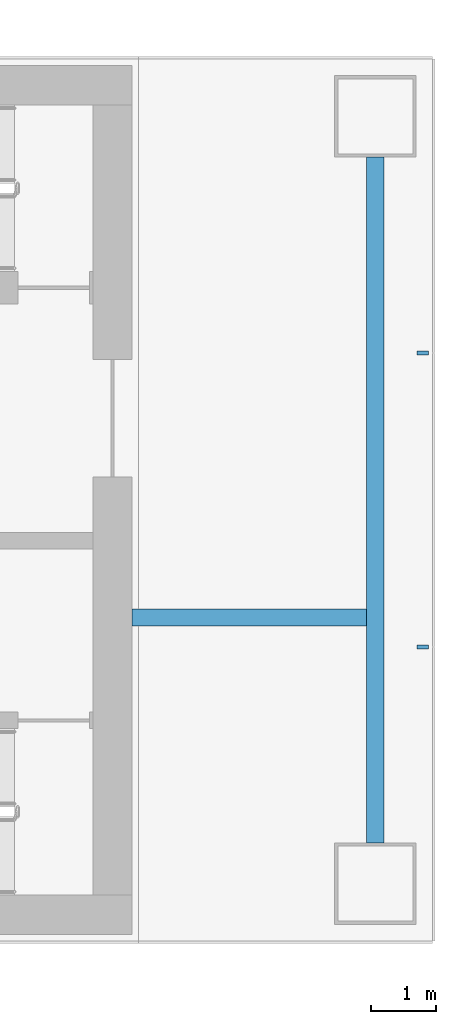
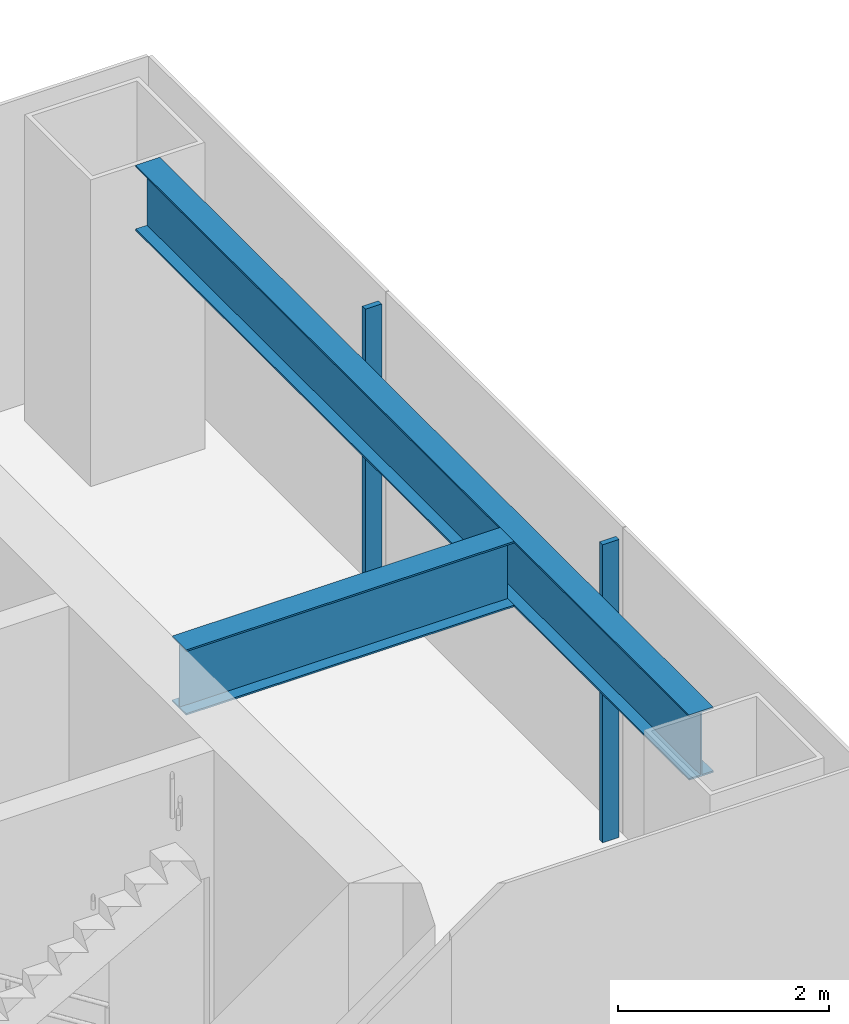
# One storey, part 7 of 20: 2 beams, 2 members, 1 element without a shape of its own.
"""IFC4 building model written with IfcOpenShell, lengths in metres."""

from ifc_helpers import new_model, si_unit, direction, frame, origin, origin_2d, place, context, subcontext, project, spatial, rectangle, i_section, extrude, material, layer, layer_set, material_profile, profile_set, type_object, element, aggregate, save


model = new_model("IFC4")

# Units and contexts
model_context = context("Model", 3, precision=1e-05, world=origin(), true_north=direction((0.0, 1.0)))
body_context = subcontext(model_context, "Body", "Model", "MODEL_VIEW")
ifc_project = project(units=[si_unit("LENGTHUNIT", "METRE"), si_unit("AREAUNIT", "SQUARE_METRE"), si_unit("VOLUMEUNIT", "CUBIC_METRE"), si_unit("PLANEANGLEUNIT", "RADIAN"), si_unit("MASSUNIT", "GRAM", prefix="KILO")], contexts=[model_context])

# Site, building, storey
site_placement = place(None, origin())
site = spatial("IfcSite", under=ifc_project, at=site_placement, CompositionType="ELEMENT")
building_placement = place(site_placement, origin())
building = spatial("IfcBuilding", under=site, at=building_placement, Name="Shamsa Quay Exchange Towers", CompositionType="ELEMENT")
storey_placement = place(building_placement, frame((0.0, 0.0, 109.199951171875)))
storey = spatial("IfcBuildingStorey", under=building, at=storey_placement, Name="L25", CompositionType="ELEMENT", Elevation=109.199951171875)

# Curtain wall, members
ifc_material_1 = material(Name="Aluminium EN AW-6063 T6, black anodised", Category="aluminium")
ifc_layer = layer(ifc_material_1, 0.280029296875)
ifc_layer_set = layer_set([ifc_layer], Name="CW-1 UNITISED VISION GLASS")
curtain_wall_type = type_object("IfcCurtainWallType", Name="CW-1 UNITISED VISION GLASS", PredefinedType="NOTDEFINED", material=ifc_layer_set)
curtain_wall_placement = place(storey_placement, origin())
curtain_wall = element("IfcCurtainWall", 1, at=curtain_wall_placement, inside=storey, type_object=curtain_wall_type, Name="CW1 T2-END-V- L25", PredefinedType="NOTDEFINED")
ifc_material_profile_1 = material_profile(ifc_material_1, rectangle(XDim=0.179931640625, YDim=0.06005859375, at=origin_2d()), Name="MU60x180")
ifc_profile_set_1 = profile_set([ifc_material_profile_1], Name="Aluminium EN AW-6063 T6, black anodised")
member_type = type_object("IfcMemberType", Name="CW1 MULLION 60x180", PredefinedType="MULLION", material=ifc_profile_set_1)
member_1_placement = place(storey_placement, frame((58.35009765625, -2.25, 0.0), z_axis=(0.0, 0.0, 1.0), x_axis=(-1.0, 0.0, 0.0)))
member_1 = element("IfcMember", 2, at=member_1_placement, type_object=member_type, Name="CW1 mullion", PredefinedType="MULLION", context=body_context, shape_type="SweptSolid", body=[
    extrude(rectangle(XDim=0.179931640625, YDim=0.06005859375, at=origin_2d()), origin(), (0.0, 0.0, 1.0), 3.449951171875),
])
member_2_placement = place(storey_placement, frame((58.35009765625, 2.25, 0.0), z_axis=(0.0, 0.0, 1.0), x_axis=(-1.0, 0.0, 0.0)))
member_2 = element("IfcMember", 3, at=member_2_placement, type_object=member_type, Name="CW1 mullion", PredefinedType="MULLION", context=body_context, shape_type="SweptSolid", body=[
    extrude(rectangle(XDim=0.179931640625, YDim=0.06005859375, at=origin_2d()), origin(), (0.0, 0.0, 1.0), 3.449951171875),
])
aggregate(curtain_wall, [member_1, member_2])

# Beams
ifc_material_2 = material(Name="Steel S355", Category="steel")
ifc_material_profile_2 = material_profile(ifc_material_2, i_section(OverallWidth=0.26611328125, OverallDepth=0.7578125, WebThickness=0.013916015625, FlangeThickness=0.019287109375, at=origin_2d()), Name="W30x108")
ifc_profile_set_2 = profile_set([ifc_material_profile_2], Name="Steel S355")
beam_type = type_object("IfcBeamType", Name="End-zone beam W30x108", PredefinedType="BEAM", material=ifc_profile_set_2)
beam_1_placement = place(storey_placement, frame((57.625, -5.25, 3.171142578125), z_axis=(0.0, 1.0, 0.0), x_axis=(-1.0, 0.0, 0.0)))
element("IfcBeam", 4, at=beam_1_placement, inside=storey, type_object=beam_type, Name="End beam T2 V- end zone L25", PredefinedType="BEAM", context=body_context, shape_type="SweptSolid", body=[
    extrude(i_section(OverallWidth=0.26611328125, OverallDepth=0.7578125, WebThickness=0.013916015625, FlangeThickness=0.019287109375, at=origin_2d()), origin(), (0.0, 0.0, 1.0), 10.5),
])
beam_2_placement = place(storey_placement, frame((53.89990234375, -1.800048828125, 3.171142578125), z_axis=(1.0, 0.0, 0.0), x_axis=(0.0, 1.0, 0.0)))
element("IfcBeam", 5, at=beam_2_placement, inside=storey, type_object=beam_type, Name="Spine beam T2 V- end zone L25", PredefinedType="BEAM", context=body_context, shape_type="SweptSolid", body=[
    extrude(i_section(OverallWidth=0.26611328125, OverallDepth=0.7578125, WebThickness=0.013916015625, FlangeThickness=0.019287109375, at=origin_2d()), origin(), (0.0, 0.0, 1.0), 3.592041015625),
])

save(model, "model.ifc")
